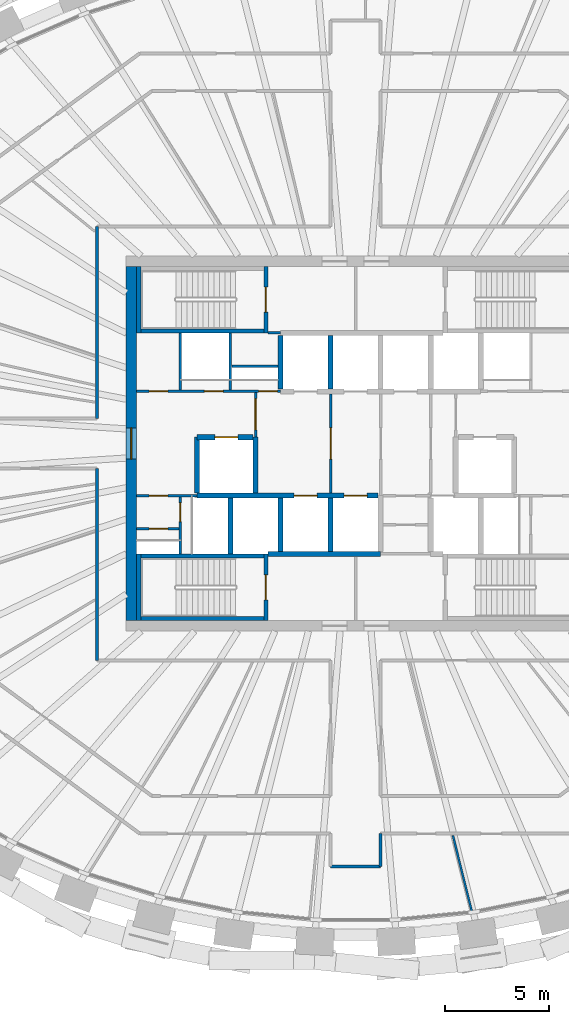
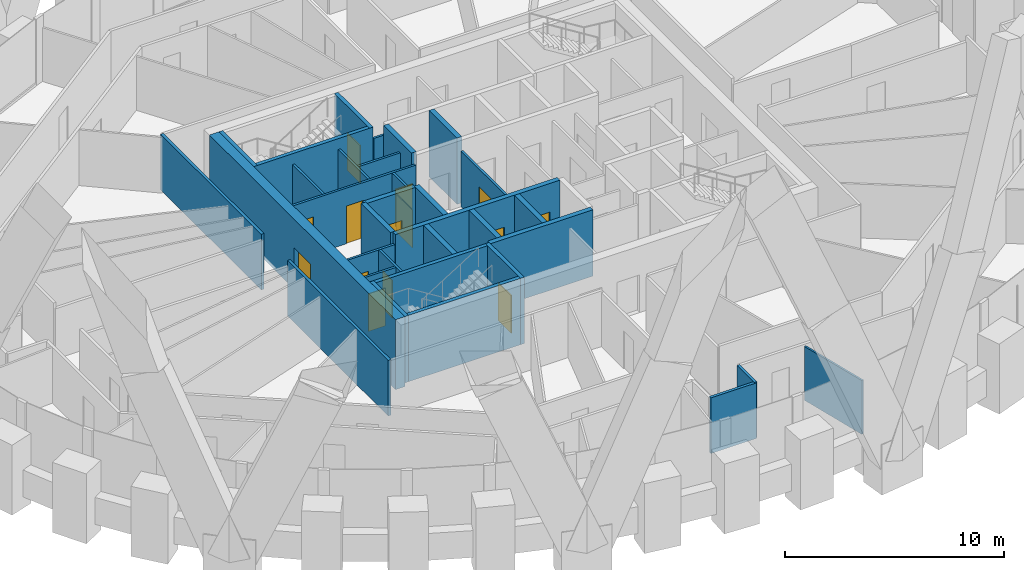
# One storey, part 8 of 14: 33 walls, 14 doors, 14 openings.
"""IFC4 building model written with IfcOpenShell, lengths in metres."""

from ifc_helpers import new_model, si_unit, direction, frame, frame_2d, origin, place, context, subcontext, project, spatial, rectangle, extrude, source, transform, mapped, material, layer, layer_set, type_object, element, fill, save


model = new_model("IFC4")

# Units and contexts
model_context = context("Model", 3, precision=1e-05, world=origin(), true_north=direction((0.0, 1.0)))
body_context = subcontext(model_context, "Body", "Model", "MODEL_VIEW")
ifc_project = project(units=[si_unit("LENGTHUNIT", "METRE"), si_unit("AREAUNIT", "SQUARE_METRE"), si_unit("VOLUMEUNIT", "CUBIC_METRE"), si_unit("PLANEANGLEUNIT", "RADIAN"), si_unit("MASSUNIT", "GRAM", prefix="KILO")], contexts=[model_context])

# Site, building, storey
site_placement = place(None, origin())
site = spatial("IfcSite", under=ifc_project, at=site_placement, CompositionType="ELEMENT")
building_placement = place(site_placement, origin())
building = spatial("IfcBuilding", under=site, at=building_placement, Name="Embergate Tower", CompositionType="ELEMENT")
storey_placement = place(building_placement, frame((0.0, 0.0, 297.39990234375)))
storey = spatial("IfcBuildingStorey", under=building, at=storey_placement, Name="L69", CompositionType="ELEMENT", Elevation=297.39990234375)

# Wall, opening, door
ifc_material_1 = material(Name="Concrete C50", Category="concrete")
ifc_layer_1 = layer(ifc_material_1, 0.5)
ifc_layer_set_1 = layer_set([ifc_layer_1], Name="Concrete C50")
wall_type_1 = type_object("IfcWallType", Name="Core outer wall C50 500", PredefinedType="SHEAR", material=ifc_layer_set_1)
shared_shape_1 = source(origin(), body_context, "Body", "SweptSolid", [
    extrude(rectangle(XDim=17.0, YDim=0.5, at=frame_2d((8.5, 0.0))), origin(), (0.0, 0.0, 1.0), 3.900146484375),
])
wall_1_placement = place(storey_placement, frame((-10.75, -8.5, -0.199951171875), z_axis=(0.0, 0.0, 1.0), x_axis=(0.0, 1.0, 0.0)))
wall_1 = element("IfcWall", 1, at=wall_1_placement, inside=storey, type_object=wall_type_1, Name="CW-L69-W", PredefinedType="SHEAR", context=body_context, shape_type="MappedRepresentation", body=[
    mapped(shared_shape_1, transform((0.0, 0.0, 0.0))),
])
shared_shape_2 = source(origin(), body_context, "Body", "SweptSolid", [
    extrude(rectangle(XDim=1.5, YDim=2.10009765625, at=frame_2d((0.75, 1.050048828125))), frame((0.0, 0.260009765625, 0.0), z_axis=(0.0, -1.0, 0.0), x_axis=(1.0, 0.0, 0.0)), (0.0, 0.0, 1.0), 0.52001953125),
])
opening_1_placement = place(wall_1_placement, frame((7.75, 0.0, 0.199951171875)))
opening_1 = element("IfcOpeningElement", 2, at=opening_1_placement, cuts=wall_1, Name="Opening IF-3", PredefinedType="OPENING", context=body_context, shape_type="MappedRepresentation", body=[
    mapped(shared_shape_2, transform((0.0, 0.0, 0.0))),
])
ifc_material_2 = material(Name="Lobby fire door pair 1500")
door_type_1 = type_object("IfcDoorType", Name="Lobby fire door pair 1500", OperationType="DOUBLE_DOOR_SINGLE_SWING", PredefinedType="DOOR", material=ifc_material_2)
shared_shape_3 = source(origin(), body_context, "Body", "SweptSolid", [
    extrude(rectangle(XDim=1.5, YDim=2.10009765625, at=frame_2d((0.75, 1.050048828125))), frame((0.0, 0.02490234375, 0.0), z_axis=(0.0, -1.0, 0.0), x_axis=(1.0, 0.0, 0.0)), (0.0, 0.0, 1.0), 0.050048828125),
])
door_1_placement = place(opening_1_placement, origin())
door_1 = element("IfcDoor", 3, at=door_1_placement, inside=storey, type_object=door_type_1, Name="IF-3 door", OperationType="DOUBLE_DOOR_SINGLE_SWING", OverallHeight=2.10009765625, OverallWidth=1.5, PredefinedType="DOOR", context=body_context, shape_type="MappedRepresentation", body=[
    mapped(shared_shape_3, transform((0.0, 0.0, 0.0))),
])
fill(opening_1, door_1)

# Wall
ifc_material_3 = material(Name="Core partition blockwork 120")
ifc_layer_2 = layer(ifc_material_3, 0.1201171875)
ifc_layer_set_2 = layer_set([ifc_layer_2], Name="Core partition blockwork 120")
wall_type_2 = type_object("IfcWallType", Name="Core partition blockwork 120", PredefinedType="PARTITIONING", material=ifc_layer_set_2)
shared_shape_4 = source(origin(), body_context, "Body", "SweptSolid", [
    extrude(rectangle(XDim=2.739990234375, YDim=0.1201171875, at=frame_2d((1.3701171875, 0.0))), origin(), (0.0, 0.0, 1.0), 3.10009765625),
])
wall_2_placement = place(storey_placement, frame((-8.39990234375, 5.300048828125, 0.0), z_axis=(0.0, 0.0, 1.0), x_axis=(0.0, -1.0, 0.0)))
element("IfcWall", 4, at=wall_2_placement, inside=storey, type_object=wall_type_2, Name="IP-3 wall", PredefinedType="PARTITIONING", context=body_context, shape_type="MappedRepresentation", body=[
    mapped(shared_shape_4, transform((0.0, 0.0, 0.0))),
])

# Wall, opening, door
wall_3_placement = place(storey_placement, frame((-8.39990234375, -2.56005859375, 0.0), z_axis=(0.0, 0.0, 1.0), x_axis=(0.0, -1.0, 0.0)))
wall_3 = element("IfcWall", 5, at=wall_3_placement, inside=storey, type_object=wall_type_2, Name="IP-3 wall", PredefinedType="PARTITIONING", context=body_context, shape_type="MappedRepresentation", body=[
    mapped(shared_shape_4, transform((0.0, 0.0, 0.0))),
])
shared_shape_5 = source(origin(), body_context, "Body", "SweptSolid", [
    extrude(rectangle(XDim=0.89990234375, YDim=2.10009765625, at=frame_2d((0.449951171875, 1.050048828125))), frame((0.0, 0.070068359375, 0.0), z_axis=(0.0, -1.0, 0.0), x_axis=(1.0, 0.0, 0.0)), (0.0, 0.0, 1.0), 0.14013671875),
])
opening_2_placement = place(wall_3_placement, frame((0.2880859375, 0.0, 0.0)))
opening_2 = element("IfcOpeningElement", 6, at=opening_2_placement, cuts=wall_3, Name="Opening ID-1", PredefinedType="OPENING", context=body_context, shape_type="MappedRepresentation", body=[
    mapped(shared_shape_5, transform((0.0, 0.0, 0.0))),
])
ifc_material_4 = material(Name="Interior door 900")
door_type_2 = type_object("IfcDoorType", Name="Interior door 900", OperationType="SINGLE_SWING_LEFT", PredefinedType="DOOR", material=ifc_material_4)
shared_shape_6 = source(origin(), body_context, "Body", "SweptSolid", [
    extrude(rectangle(XDim=0.89990234375, YDim=2.10009765625, at=frame_2d((0.449951171875, 1.050048828125))), frame((0.0, 0.02490234375, 0.0), z_axis=(0.0, -1.0, 0.0), x_axis=(1.0, 0.0, 0.0)), (0.0, 0.0, 1.0), 0.050048828125),
])
door_2_placement = place(opening_2_placement, origin())
door_2 = element("IfcDoor", 7, at=door_2_placement, inside=storey, type_object=door_type_2, Name="ID-1 door", OperationType="SINGLE_SWING_RIGHT", OverallHeight=2.10009765625, OverallWidth=0.89990234375, PredefinedType="DOOR", context=body_context, shape_type="MappedRepresentation", body=[
    mapped(shared_shape_6, transform((0.0, 0.0, 0.0))),
])
fill(opening_2, door_2)

shared_shape_7 = source(origin(), body_context, "Body", "SweptSolid", [
    extrude(rectangle(XDim=4.75, YDim=0.1201171875, at=frame_2d((2.375, 0.0))), origin(), (0.0, 0.0, 1.0), 3.10009765625),
])
wall_4_placement = place(storey_placement, frame((-1.199951171875, -2.375, 0.0), z_axis=(0.0, 0.0, 1.0), x_axis=(0.0, 1.0, 0.0)))
wall_4 = element("IfcWall", 8, at=wall_4_placement, inside=storey, type_object=wall_type_2, Name="IP-3 wall", PredefinedType="PARTITIONING", context=body_context, shape_type="MappedRepresentation", body=[
    mapped(shared_shape_7, transform((0.0, 0.0, 0.0))),
])
shared_shape_8 = source(origin(), body_context, "Body", "SweptSolid", [
    extrude(rectangle(XDim=1.5, YDim=2.10009765625, at=frame_2d((0.75, 1.050048828125))), frame((0.0, 0.070068359375, 0.0), z_axis=(0.0, -1.0, 0.0), x_axis=(1.0, 0.0, 0.0)), (0.0, 0.0, 1.0), 0.14013671875),
])
opening_3_placement = place(wall_4_placement, frame((1.625, 0.0, 0.0)))
opening_3 = element("IfcOpeningElement", 9, at=opening_3_placement, cuts=wall_4, Name="Opening IF-3", PredefinedType="OPENING", context=body_context, shape_type="MappedRepresentation", body=[
    mapped(shared_shape_8, transform((0.0, 0.0, 0.0))),
])
door_3_placement = place(opening_3_placement, origin())
door_3 = element("IfcDoor", 10, at=door_3_placement, inside=storey, type_object=door_type_1, Name="IF-3 door", OperationType="DOUBLE_DOOR_SINGLE_SWING", OverallHeight=2.10009765625, OverallWidth=1.5, PredefinedType="DOOR", context=body_context, shape_type="MappedRepresentation", body=[
    mapped(shared_shape_3, transform((0.0, 0.0, 0.0))),
])
fill(opening_3, door_3)

# Walls
ifc_layer_3 = layer(ifc_material_1, 0.25)
ifc_layer_set_3 = layer_set([ifc_layer_3], Name="Concrete C50")
wall_type_3 = type_object("IfcWallType", Name="Hoistway wall reinforced concrete 250", PredefinedType="SHEAR", material=ifc_layer_set_3)
shared_shape_9 = source(origin(), body_context, "Body", "SweptSolid", [
    extrude(rectangle(XDim=2.675048828125, YDim=0.25, at=frame_2d((1.33740234375, 0.0))), origin(), (0.0, 0.0, 1.0), 3.7001953125),
])
for number, where, z_axis, x_axis, name in (
    (11, (-6.0, -5.300048828125, 0.0), (0.0, 0.0, 1.0), (0.0, 1.0, 0.0), "HW-1 wall"),
    (12, (-4.800048828125, 0.300048828125, 0.0), (0.0, 0.0, 1.0), (0.0, -1.0, 0.0), "HW-1 wall"),
):
    element("IfcWall", number, at=place(storey_placement, frame(where, z_axis=z_axis, x_axis=x_axis)), inside=storey, type_object=wall_type_3, Name=name, PredefinedType="SHEAR", context=body_context, shape_type="MappedRepresentation", body=[
        mapped(shared_shape_9, transform((0.0, 0.0, 0.0))),
    ])

# Wall, opening, door
wall_5_placement = place(storey_placement, frame((-4.925048828125, 0.300048828125, 0.0), z_axis=(0.0, 0.0, 1.0), x_axis=(-1.0, 0.0, 0.0)))
wall_5 = element("IfcWall", 13, at=wall_5_placement, inside=storey, type_object=wall_type_3, Name="HW-1 wall", PredefinedType="SHEAR", context=body_context, shape_type="MappedRepresentation", body=[
    mapped(shared_shape_9, transform((0.0, 0.0, 0.0))),
])
shared_shape_10 = source(origin(), body_context, "Body", "SweptSolid", [
    extrude(rectangle(XDim=1.10009765625, YDim=2.10009765625, at=frame_2d((0.550048828125, 1.050048828125))), frame((0.0, 0.135009765625, 0.0), z_axis=(0.0, -1.0, 0.0), x_axis=(1.0, 0.0, 0.0)), (0.0, 0.0, 1.0), 0.27001953125),
])
opening_4_placement = place(wall_5_placement, frame((0.72509765625, 0.0, 0.0)))
opening_4 = element("IfcOpeningElement", 14, at=opening_4_placement, cuts=wall_5, Name="Opening LD", PredefinedType="OPENING", context=body_context, shape_type="MappedRepresentation", body=[
    mapped(shared_shape_10, transform((0.0, 0.0, 0.0))),
])
ifc_material_5 = material(Name="Landing door sliding 1100")
door_type_3 = type_object("IfcDoorType", Name="Landing door sliding 1100", OperationType="SLIDING_TO_LEFT", PredefinedType="DOOR", material=ifc_material_5)
shared_shape_11 = source(origin(), body_context, "Body", "SweptSolid", [
    extrude(rectangle(XDim=1.10009765625, YDim=2.10009765625, at=frame_2d((0.550048828125, 1.050048828125))), frame((0.0, 0.02490234375, 0.0), z_axis=(0.0, -1.0, 0.0), x_axis=(1.0, 0.0, 0.0)), (0.0, 0.0, 1.0), 0.050048828125),
])
door_4_placement = place(opening_4_placement, origin())
door_4 = element("IfcDoor", 15, at=door_4_placement, inside=storey, type_object=door_type_3, Name="LD door", OperationType="SLIDING_TO_LEFT", OverallHeight=2.10009765625, OverallWidth=1.10009765625, PredefinedType="DOOR", context=body_context, shape_type="MappedRepresentation", body=[
    mapped(shared_shape_11, transform((0.0, 0.0, 0.0))),
])
fill(opening_4, door_4)

# Walls
wall_6_placement = place(storey_placement, frame((-7.60009765625, 0.300048828125, 0.0), z_axis=(0.0, 0.0, 1.0), x_axis=(0.0, -1.0, 0.0)))
element("IfcWall", 16, at=wall_6_placement, inside=storey, type_object=wall_type_3, Name="HW-1 wall", PredefinedType="SHEAR", context=body_context, shape_type="MappedRepresentation", body=[
    mapped(shared_shape_9, transform((0.0, 0.0, 0.0))),
])
ifc_layer_4 = layer(ifc_material_1, 0.199951171875)
ifc_layer_set_4 = layer_set([ifc_layer_4], Name="Concrete C50")
wall_type_4 = type_object("IfcWallType", Name="Stair enclosure wall reinforced concrete 250", PredefinedType="SHEAR", material=ifc_layer_set_4)
shared_shape_12 = source(origin(), body_context, "Body", "SweptSolid", [
    extrude(rectangle(XDim=6.300048828125, YDim=0.199951171875, at=frame_2d((3.14990234375, 0.0))), origin(), (0.0, 0.0, 1.0), 3.7001953125),
])
wall_7_placement = place(storey_placement, frame((-10.5, -5.39990234375, 0.0), z_axis=(0.0, 0.0, 1.0), x_axis=(1.0, 0.0, 0.0)))
element("IfcWall", 17, at=wall_7_placement, inside=storey, type_object=wall_type_4, Name="SE-1 wall", PredefinedType="SHEAR", context=body_context, shape_type="MappedRepresentation", body=[
    mapped(shared_shape_12, transform((0.0, 0.0, 0.0))),
])
shared_shape_13 = source(origin(), body_context, "Body", "SweptSolid", [
    extrude(rectangle(XDim=2.550048828125, YDim=0.25, at=frame_2d((1.27490234375, 0.0))), origin(), (0.0, 0.0, 1.0), 3.7001953125),
])
for number, where, z_axis, x_axis, name in (
    (18, (-1.199951171875, 2.625, 0.0), (0.0, 0.0, 1.0), (0.0, 1.0, 0.0), "HW-1 wall"),
    (19, (-3.60009765625, -5.175048828125, 0.0), (0.0, 0.0, 1.0), (0.0, 1.0, 0.0), "HW-1 wall"),
    (20, (-1.199951171875, -5.175048828125, 0.0), (0.0, 0.0, 1.0), (0.0, 1.0, 0.0), "HW-1 wall"),
):
    element("IfcWall", number, at=place(storey_placement, frame(where, z_axis=z_axis, x_axis=x_axis)), inside=storey, type_object=wall_type_3, Name=name, PredefinedType="SHEAR", context=body_context, shape_type="MappedRepresentation", body=[
        mapped(shared_shape_13, transform((0.0, 0.0, 0.0))),
    ])

# Wall, opening, door
shared_shape_14 = source(origin(), body_context, "Body", "SweptSolid", [
    extrude(rectangle(XDim=3.199951171875, YDim=0.199951171875, at=frame_2d((1.60009765625, 0.0))), origin(), (0.0, 0.0, 1.0), 3.7001953125),
])
wall_8_placement = place(storey_placement, frame((-4.300048828125, 5.300048828125, 0.0), z_axis=(0.0, 0.0, 1.0), x_axis=(0.0, 1.0, 0.0)))
wall_8 = element("IfcWall", 21, at=wall_8_placement, inside=storey, type_object=wall_type_4, Name="SE-1 wall", PredefinedType="SHEAR", context=body_context, shape_type="MappedRepresentation", body=[
    mapped(shared_shape_14, transform((0.0, 0.0, 0.0))),
])
shared_shape_15 = source(origin(), body_context, "Body", "SweptSolid", [
    extrude(rectangle(XDim=1.199951171875, YDim=2.10009765625, at=frame_2d((0.60009765625, 1.050048828125))), frame((0.0, 0.10986328125, 0.0), z_axis=(0.0, -1.0, 0.0), x_axis=(1.0, 0.0, 0.0)), (0.0, 0.0, 1.0), 0.219970703125),
])
opening_5_placement = place(wall_8_placement, frame((1.0, 0.0, 0.0)))
opening_5 = element("IfcOpeningElement", 22, at=opening_5_placement, cuts=wall_8, Name="Opening IF-2", PredefinedType="OPENING", context=body_context, shape_type="MappedRepresentation", body=[
    mapped(shared_shape_15, transform((0.0, 0.0, 0.0))),
])
ifc_material_6 = material(Name="Stair enclosure door 1200")
door_type_4 = type_object("IfcDoorType", Name="Stair enclosure door 1200", OperationType="SINGLE_SWING_LEFT", PredefinedType="DOOR", material=ifc_material_6)
shared_shape_16 = source(origin(), body_context, "Body", "SweptSolid", [
    extrude(rectangle(XDim=1.199951171875, YDim=2.10009765625, at=frame_2d((0.60009765625, 1.050048828125))), frame((0.0, 0.02490234375, 0.0), z_axis=(0.0, -1.0, 0.0), x_axis=(1.0, 0.0, 0.0)), (0.0, 0.0, 1.0), 0.050048828125),
])
door_5_placement = place(opening_5_placement, origin())
door_5 = element("IfcDoor", 23, at=door_5_placement, inside=storey, type_object=door_type_4, Name="IF-2 door", OperationType="SINGLE_SWING_RIGHT", OverallHeight=2.10009765625, OverallWidth=1.199951171875, PredefinedType="DOOR", context=body_context, shape_type="MappedRepresentation", body=[
    mapped(shared_shape_16, transform((0.0, 0.0, 0.0))),
])
fill(opening_5, door_5)

wall_9_placement = place(storey_placement, frame((-4.300048828125, -8.5, 0.0), z_axis=(0.0, 0.0, 1.0), x_axis=(0.0, 1.0, 0.0)))
wall_9 = element("IfcWall", 24, at=wall_9_placement, inside=storey, type_object=wall_type_4, Name="SE-1 wall", PredefinedType="SHEAR", context=body_context, shape_type="MappedRepresentation", body=[
    mapped(shared_shape_14, transform((0.0, 0.0, 0.0))),
])
opening_6_placement = place(wall_9_placement, frame((1.0, 0.0, 0.0)))
opening_6 = element("IfcOpeningElement", 25, at=opening_6_placement, cuts=wall_9, Name="Opening IF-2", PredefinedType="OPENING", context=body_context, shape_type="MappedRepresentation", body=[
    mapped(shared_shape_15, transform((0.0, 0.0, 0.0))),
])
door_6_placement = place(opening_6_placement, origin())
door_6 = element("IfcDoor", 26, at=door_6_placement, inside=storey, type_object=door_type_4, Name="IF-2 door", OperationType="SINGLE_SWING_LEFT", OverallHeight=2.10009765625, OverallWidth=1.199951171875, PredefinedType="DOOR", context=body_context, shape_type="MappedRepresentation", body=[
    mapped(shared_shape_16, transform((0.0, 0.0, 0.0))),
])
fill(opening_6, door_6)

# Walls
ifc_material_7 = material(Name="Corridor wall dry-lined 150")
ifc_layer_5 = layer(ifc_material_7, 0.14990234375)
ifc_layer_set_5 = layer_set([ifc_layer_5], Name="Corridor wall dry-lined 150")
wall_type_5 = type_object("IfcWallType", Name="Corridor wall dry-lined 150", PredefinedType="PARTITIONING", material=ifc_layer_set_5)
shared_shape_17 = source(origin(), body_context, "Body", "SweptSolid", [
    extrude(rectangle(XDim=9.199951171875, YDim=0.14990234375, at=frame_2d((4.60009765625, 0.0))), origin(), (0.0, 0.0, 1.0), 3.10009765625),
])
for number, where, z_axis, x_axis, name in (
    (27, (-12.39990234375, -1.199951171875, 0.0), (0.0, 0.0, 1.0), (0.0, -1.0, 0.0), "IP-2 wall"),
    (28, (-12.39990234375, 10.39990234375, 0.0), (0.0, 0.0, 1.0), (0.0, -1.0, 0.0), "IP-2 wall"),
):
    element("IfcWall", number, at=place(storey_placement, frame(where, z_axis=z_axis, x_axis=x_axis)), inside=storey, type_object=wall_type_5, Name=name, PredefinedType="PARTITIONING", context=body_context, shape_type="MappedRepresentation", body=[
        mapped(shared_shape_17, transform((0.0, 0.0, 0.0))),
    ])
shared_shape_18 = source(origin(), body_context, "Body", "SweptSolid", [
    extrude(rectangle(XDim=2.39990234375, YDim=0.14990234375, at=frame_2d((1.199951171875, 0.0))), origin(), (0.0, 0.0, 1.0), 3.10009765625),
])
wall_10_placement = place(storey_placement, frame((1.199951171875, -20.281005859375, 0.0), z_axis=(0.0, 0.0, 1.0), x_axis=(-1.0, 0.0, 0.0)))
element("IfcWall", 29, at=wall_10_placement, inside=storey, type_object=wall_type_5, Name="IP-2 wall", PredefinedType="PARTITIONING", context=body_context, shape_type="MappedRepresentation", body=[
    mapped(shared_shape_18, transform((0.0, 0.0, 0.0))),
])
shared_shape_19 = source(origin(), body_context, "Body", "SweptSolid", [
    extrude(rectangle(XDim=2.738037109375, YDim=0.1201171875, at=frame_2d((1.369140625, 0.0))), origin(), (0.0, 0.0, 1.0), 3.10009765625),
])
wall_11_placement = place(storey_placement, frame((-6.0, 2.56005859375, 0.0), z_axis=(0.0, 0.0, 1.0), x_axis=(0.0, 1.0, 0.0)))
element("IfcWall", 30, at=wall_11_placement, inside=storey, type_object=wall_type_2, Name="IP-3 wall", PredefinedType="PARTITIONING", context=body_context, shape_type="MappedRepresentation", body=[
    mapped(shared_shape_19, transform((0.0, 0.0, 0.0))),
])

# Wall, opening, door
shared_shape_20 = source(origin(), body_context, "Body", "SweptSolid", [
    extrude(rectangle(XDim=2.89990234375, YDim=0.1201171875, at=frame_2d((1.449951171875, 0.0))), origin(), (0.0, 0.0, 1.0), 3.10009765625),
])
wall_12_placement = place(storey_placement, frame((-7.60009765625, -2.5, 0.0), z_axis=(0.0, 0.0, 1.0), x_axis=(-1.0, 0.0, 0.0)))
wall_12 = element("IfcWall", 31, at=wall_12_placement, inside=storey, type_object=wall_type_2, Name="IP-3 wall", PredefinedType="PARTITIONING", context=body_context, shape_type="MappedRepresentation", body=[
    mapped(shared_shape_20, transform((0.0, 0.0, 0.0))),
])
opening_7_placement = place(wall_12_placement, frame((1.39990234375, 0.0, 0.0)))
opening_7 = element("IfcOpeningElement", 32, at=opening_7_placement, cuts=wall_12, Name="Opening ID-1", PredefinedType="OPENING", context=body_context, shape_type="MappedRepresentation", body=[
    mapped(shared_shape_5, transform((0.0, 0.0, 0.0))),
])
door_7_placement = place(opening_7_placement, origin())
door_7 = element("IfcDoor", 33, at=door_7_placement, inside=storey, type_object=door_type_2, Name="ID-1 door", OperationType="SINGLE_SWING_RIGHT", OverallHeight=2.10009765625, OverallWidth=0.89990234375, PredefinedType="DOOR", context=body_context, shape_type="MappedRepresentation", body=[
    mapped(shared_shape_6, transform((0.0, 0.0, 0.0))),
])
fill(opening_7, door_7)

shared_shape_21 = source(origin(), body_context, "Body", "SweptSolid", [
    extrude(rectangle(XDim=2.139892578125, YDim=0.1201171875, at=frame_2d((1.06982421875, 0.0))), origin(), (0.0, 0.0, 1.0), 3.10009765625),
])
wall_13_placement = place(storey_placement, frame((-4.800048828125, 2.43994140625, 0.0), z_axis=(0.0, 0.0, 1.0), x_axis=(0.0, -1.0, 0.0)))
wall_13 = element("IfcWall", 34, at=wall_13_placement, inside=storey, type_object=wall_type_2, Name="IP-3 wall", PredefinedType="PARTITIONING", context=body_context, shape_type="MappedRepresentation", body=[
    mapped(shared_shape_21, transform((0.0, 0.0, 0.0))),
])
opening_8_placement = place(wall_13_placement, frame((0.2900390625, 0.0, 0.0)))
opening_8 = element("IfcOpeningElement", 35, at=opening_8_placement, cuts=wall_13, Name="Opening IF-3", PredefinedType="OPENING", context=body_context, shape_type="MappedRepresentation", body=[
    mapped(shared_shape_8, transform((0.0, 0.0, 0.0))),
])
door_8_placement = place(opening_8_placement, origin())
door_8 = element("IfcDoor", 36, at=door_8_placement, inside=storey, type_object=door_type_1, Name="IF-3 door", OperationType="DOUBLE_DOOR_SINGLE_SWING", OverallHeight=2.10009765625, OverallWidth=1.5, PredefinedType="DOOR", context=body_context, shape_type="MappedRepresentation", body=[
    mapped(shared_shape_3, transform((0.0, 0.0, 0.0))),
])
fill(opening_8, door_8)

# Walls
shared_shape_22 = source(origin(), body_context, "Body", "SweptSolid", [
    extrude(rectangle(XDim=5.39990234375, YDim=0.25, at=frame_2d((2.699951171875, 0.0))), origin(), (0.0, 0.0, 1.0), 3.7001953125),
])
wall_14_placement = place(storey_placement, frame((-4.199951171875, -5.300048828125, 0.0), z_axis=(0.0, 0.0, 1.0), x_axis=(1.0, 0.0, 0.0)))
element("IfcWall", 37, at=wall_14_placement, inside=storey, type_object=wall_type_3, Name="HW-1 wall", PredefinedType="SHEAR", context=body_context, shape_type="MappedRepresentation", body=[
    mapped(shared_shape_22, transform((0.0, 0.0, 0.0))),
])
shared_shape_23 = source(origin(), body_context, "Body", "SweptSolid", [
    extrude(rectangle(XDim=6.298095703125, YDim=0.199951171875, at=frame_2d((3.14892578125, 0.0))), origin(), (0.0, 0.0, 1.0), 3.7001953125),
])
for number, where, z_axis, x_axis, name in (
    (38, (-4.201904296875, 5.39990234375, 0.0), (0.0, 0.0, 1.0), (-1.0, 0.0, 0.0), "SE-1 wall"),
    (39, (-10.5, -8.39990234375, 0.0), (0.0, 0.0, 1.0), (1.0, 0.0, 0.0), "SE-1 wall"),
):
    element("IfcWall", number, at=place(storey_placement, frame(where, z_axis=z_axis, x_axis=x_axis)), inside=storey, type_object=wall_type_4, Name=name, PredefinedType="SHEAR", context=body_context, shape_type="MappedRepresentation", body=[
        mapped(shared_shape_23, transform((0.0, 0.0, 0.0))),
    ])
shared_shape_24 = source(origin(), body_context, "Body", "SweptSolid", [
    extrude(rectangle(XDim=3.197998046875, YDim=0.199951171875, at=frame_2d((1.59912109375, 0.0))), origin(), (0.0, 0.0, 1.0), 3.7001953125),
])
for number, where, z_axis, x_axis, name in (
    (40, (-10.39990234375, 8.5, 0.0), (0.0, 0.0, 1.0), (0.0, -1.0, 0.0), "SE-1 wall"),
    (41, (-10.39990234375, -5.302001953125, 0.0), (0.0, 0.0, 1.0), (0.0, -1.0, 0.0), "SE-1 wall"),
):
    element("IfcWall", number, at=place(storey_placement, frame(where, z_axis=z_axis, x_axis=x_axis)), inside=storey, type_object=wall_type_4, Name=name, PredefinedType="SHEAR", context=body_context, shape_type="MappedRepresentation", body=[
        mapped(shared_shape_24, transform((0.0, 0.0, 0.0))),
    ])

# Wall, openings, doors
shared_shape_25 = source(origin(), body_context, "Body", "SweptSolid", [
    extrude(rectangle(XDim=6.89990234375, YDim=0.1201171875, at=frame_2d((3.449951171875, 0.0))), origin(), (0.0, 0.0, 1.0), 3.10009765625),
])
wall_15_placement = place(storey_placement, frame((-10.5, 2.5, 0.0), z_axis=(0.0, 0.0, 1.0), x_axis=(1.0, 0.0, 0.0)))
wall_15 = element("IfcWall", 42, at=wall_15_placement, inside=storey, type_object=wall_type_2, Name="IP-3 wall", PredefinedType="PARTITIONING", context=body_context, shape_type="MappedRepresentation", body=[
    mapped(shared_shape_25, transform((0.0, 0.0, 0.0))),
])
opening_9_placement = place(wall_15_placement, frame((3.25, 0.0, 0.0)))
opening_9 = element("IfcOpeningElement", 43, at=opening_9_placement, cuts=wall_15, Name="Opening ID-1", PredefinedType="OPENING", context=body_context, shape_type="MappedRepresentation", body=[
    mapped(shared_shape_5, transform((0.0, 0.0, 0.0))),
])
opening_10_placement = place(wall_15_placement, frame((5.85009765625, 0.0, 0.0)))
opening_10 = element("IfcOpeningElement", 44, at=opening_10_placement, cuts=wall_15, Name="Opening ID-1", PredefinedType="OPENING", context=body_context, shape_type="MappedRepresentation", body=[
    mapped(shared_shape_5, transform((0.0, 0.0, 0.0))),
])
opening_11_placement = place(wall_15_placement, frame((0.60009765625, 0.0, 0.0)))
opening_11 = element("IfcOpeningElement", 45, at=opening_11_placement, cuts=wall_15, Name="Opening ID-1", PredefinedType="OPENING", context=body_context, shape_type="MappedRepresentation", body=[
    mapped(shared_shape_5, transform((0.0, 0.0, 0.0))),
])
door_9_placement = place(opening_9_placement, origin())
door_9 = element("IfcDoor", 46, at=door_9_placement, inside=storey, type_object=door_type_2, Name="ID-1 door", OperationType="SINGLE_SWING_RIGHT", OverallHeight=2.10009765625, OverallWidth=0.89990234375, PredefinedType="DOOR", context=body_context, shape_type="MappedRepresentation", body=[
    mapped(shared_shape_6, transform((0.0, 0.0, 0.0))),
])
fill(opening_9, door_9)
door_10_placement = place(opening_10_placement, origin())
door_10 = element("IfcDoor", 47, at=door_10_placement, inside=storey, type_object=door_type_2, Name="ID-1 door", OperationType="SINGLE_SWING_LEFT", OverallHeight=2.10009765625, OverallWidth=0.89990234375, PredefinedType="DOOR", context=body_context, shape_type="MappedRepresentation", body=[
    mapped(shared_shape_6, transform((0.0, 0.0, 0.0))),
])
fill(opening_10, door_10)
door_11_placement = place(opening_11_placement, origin())
door_11 = element("IfcDoor", 48, at=door_11_placement, inside=storey, type_object=door_type_2, Name="ID-1 door", OperationType="SINGLE_SWING_LEFT", OverallHeight=2.10009765625, OverallWidth=0.89990234375, PredefinedType="DOOR", context=body_context, shape_type="MappedRepresentation", body=[
    mapped(shared_shape_6, transform((0.0, 0.0, 0.0))),
])
fill(opening_11, door_11)

# Wall, opening, door
shared_shape_26 = source(origin(), body_context, "Body", "SweptSolid", [
    extrude(rectangle(XDim=2.0400390625, YDim=0.1201171875, at=frame_2d((1.02001953125, 0.0))), origin(), (0.0, 0.0, 1.0), 3.10009765625),
])
wall_16_placement = place(storey_placement, frame((-8.4599609375, -4.095947265625, 0.0), z_axis=(0.0, 0.0, 1.0), x_axis=(-1.0, 0.0, 0.0)))
wall_16 = element("IfcWall", 49, at=wall_16_placement, inside=storey, type_object=wall_type_2, Name="IP-3 wall", PredefinedType="PARTITIONING", context=body_context, shape_type="MappedRepresentation", body=[
    mapped(shared_shape_26, transform((0.0, 0.0, 0.0))),
])
opening_12_placement = place(wall_16_placement, frame((0.5400390625, 0.0, 0.0)))
opening_12 = element("IfcOpeningElement", 50, at=opening_12_placement, cuts=wall_16, Name="Opening ID-1", PredefinedType="OPENING", context=body_context, shape_type="MappedRepresentation", body=[
    mapped(shared_shape_5, transform((0.0, 0.0, 0.0))),
])
door_12_placement = place(opening_12_placement, origin())
door_12 = element("IfcDoor", 51, at=door_12_placement, inside=storey, type_object=door_type_2, Name="ID-1 door", OperationType="SINGLE_SWING_RIGHT", OverallHeight=2.10009765625, OverallWidth=0.89990234375, PredefinedType="DOOR", context=body_context, shape_type="MappedRepresentation", body=[
    mapped(shared_shape_6, transform((0.0, 0.0, 0.0))),
])
fill(opening_12, door_12)

# Walls
shared_shape_27 = source(origin(), body_context, "Body", "SweptSolid", [
    extrude(rectangle(XDim=0.595947265625, YDim=0.1201171875, at=frame_2d((0.2978515625, 0.0))), origin(), (0.0, 0.0, 1.0), 3.10009765625),
])
wall_17_placement = place(storey_placement, frame((-4.197998046875, 5.300048828125, 0.0), z_axis=(0.0, 0.0, 1.0), x_axis=(1.0, 0.0, 0.0)))
element("IfcWall", 52, at=wall_17_placement, inside=storey, type_object=wall_type_2, Name="IP-3 wall", PredefinedType="PARTITIONING", context=body_context, shape_type="MappedRepresentation", body=[
    mapped(shared_shape_27, transform((0.0, 0.0, 0.0))),
])
shared_shape_28 = source(origin(), body_context, "Body", "SweptSolid", [
    extrude(rectangle(XDim=2.2109375, YDim=0.1201171875, at=frame_2d((1.10546875, 0.0))), origin(), (0.0, 0.0, 1.0), 3.10009765625),
])
wall_18_placement = place(storey_placement, frame((-3.72705078125, 3.7041015625, 0.0), z_axis=(0.0, 0.0, 1.0), x_axis=(-1.0, 0.0, 0.0)))
element("IfcWall", 53, at=wall_18_placement, inside=storey, type_object=wall_type_2, Name="IP-3 wall", PredefinedType="PARTITIONING", context=body_context, shape_type="MappedRepresentation", body=[
    mapped(shared_shape_28, transform((0.0, 0.0, 0.0))),
])
shared_shape_29 = source(origin(), body_context, "Body", "SweptSolid", [
    extrude(rectangle(XDim=1.568115234375, YDim=0.14990234375, at=frame_2d((0.7841796875, 0.0))), origin(), (0.0, 0.0, 1.0), 3.10009765625),
])
wall_19_placement = place(storey_placement, frame((1.199951171875, -18.712890625, 0.0), z_axis=(0.0, 0.0, 1.0), x_axis=(0.0, -1.0, 0.0)))
element("IfcWall", 54, at=wall_19_placement, inside=storey, type_object=wall_type_5, Name="IP-2 wall", PredefinedType="PARTITIONING", context=body_context, shape_type="MappedRepresentation", body=[
    mapped(shared_shape_29, transform((0.0, 0.0, 0.0))),
])
ifc_material_8 = material(Name="Partition dry-lined 100")
ifc_layer_6 = layer(ifc_material_8, 0.10009765625)
ifc_layer_set_6 = layer_set([ifc_layer_6], Name="Partition dry-lined 100")
wall_type_6 = type_object("IfcWallType", Name="Partition dry-lined 100", PredefinedType="PARTITIONING", material=ifc_layer_set_6)
shared_shape_30 = source(origin(), body_context, "Body", "SweptSolid", [
    extrude(rectangle(XDim=3.78759765625, YDim=0.10009765625, at=frame_2d((1.893798828125, 0.0))), origin(), (0.0, 0.0, 1.0), 3.0),
])
wall_20_placement = place(storey_placement, frame((4.6669921875, -18.800048828125, 0.0), z_axis=(0.0, 0.0, 1.0), x_axis=(0.240821377337, -0.970569453577, 0.0)))
element("IfcWall", 55, at=wall_20_placement, inside=storey, type_object=wall_type_6, Name="IP-1 wall", PredefinedType="PARTITIONING", context=body_context, shape_type="MappedRepresentation", body=[
    mapped(shared_shape_30, transform((0.0, 0.0, 0.0))),
])
shared_shape_31 = source(origin(), body_context, "Body", "SweptSolid", [
    extrude(rectangle(XDim=2.548095703125, YDim=0.25, at=frame_2d((1.27392578125, 0.0))), origin(), (0.0, 0.0, 1.0), 3.7001953125),
])
wall_21_placement = place(storey_placement, frame((-3.60009765625, 5.173095703125, 0.0), z_axis=(0.0, 0.0, 1.0), x_axis=(0.0, -1.0, 0.0)))
element("IfcWall", 56, at=wall_21_placement, inside=storey, type_object=wall_type_3, Name="HW-1 wall", PredefinedType="SHEAR", context=body_context, shape_type="MappedRepresentation", body=[
    mapped(shared_shape_31, transform((0.0, 0.0, 0.0))),
])

# Wall, openings, doors
shared_shape_32 = source(origin(), body_context, "Body", "SweptSolid", [
    extrude(rectangle(XDim=8.675048828125, YDim=0.25, at=frame_2d((4.33740234375, 0.0))), origin(), (0.0, 0.0, 1.0), 3.7001953125),
])
wall_22_placement = place(storey_placement, frame((1.074951171875, -2.5, 0.0), z_axis=(0.0, 0.0, 1.0), x_axis=(-1.0, 0.0, 0.0)))
wall_22 = element("IfcWall", 57, at=wall_22_placement, inside=storey, type_object=wall_type_3, Name="HW-1 wall", PredefinedType="SHEAR", context=body_context, shape_type="MappedRepresentation", body=[
    mapped(shared_shape_32, transform((0.0, 0.0, 0.0))),
])
opening_13_placement = place(wall_22_placement, frame((2.925048828125, 0.0, 0.0)))
opening_13 = element("IfcOpeningElement", 58, at=opening_13_placement, cuts=wall_22, Name="Opening LD", PredefinedType="OPENING", context=body_context, shape_type="MappedRepresentation", body=[
    mapped(shared_shape_10, transform((0.0, 0.0, 0.0))),
])
opening_14_placement = place(wall_22_placement, frame((0.52490234375, 0.0, 0.0)))
opening_14 = element("IfcOpeningElement", 59, at=opening_14_placement, cuts=wall_22, Name="Opening LD", PredefinedType="OPENING", context=body_context, shape_type="MappedRepresentation", body=[
    mapped(shared_shape_10, transform((0.0, 0.0, 0.0))),
])
door_13_placement = place(opening_13_placement, origin())
door_13 = element("IfcDoor", 60, at=door_13_placement, inside=storey, type_object=door_type_3, Name="LD door", OperationType="SLIDING_TO_RIGHT", OverallHeight=2.10009765625, OverallWidth=1.10009765625, PredefinedType="DOOR", context=body_context, shape_type="MappedRepresentation", body=[
    mapped(shared_shape_11, transform((0.0, 0.0, 0.0))),
])
fill(opening_13, door_13)
door_14_placement = place(opening_14_placement, origin())
door_14 = element("IfcDoor", 61, at=door_14_placement, inside=storey, type_object=door_type_3, Name="LD door", OperationType="SLIDING_TO_LEFT", OverallHeight=2.10009765625, OverallWidth=1.10009765625, PredefinedType="DOOR", context=body_context, shape_type="MappedRepresentation", body=[
    mapped(shared_shape_11, transform((0.0, 0.0, 0.0))),
])
fill(opening_14, door_14)

save(model, "model.ifc")
